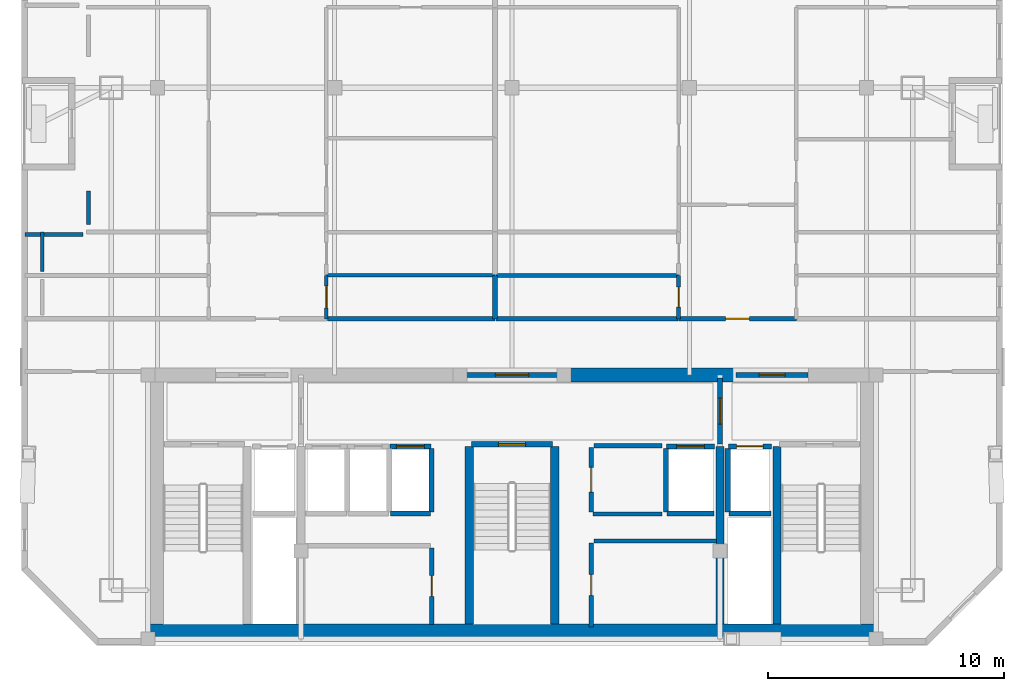
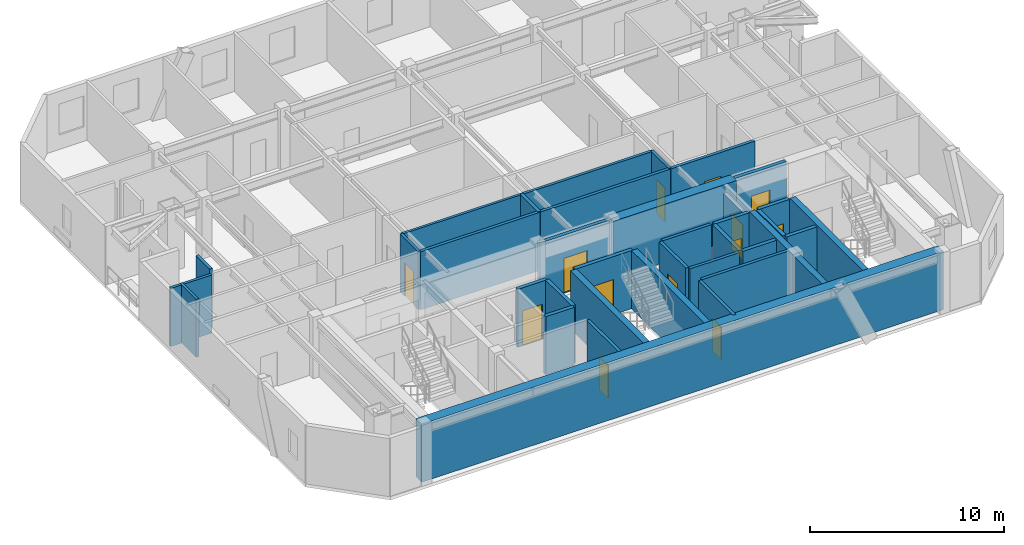
# One storey, part 3 of 7: 36 walls, 13 doors, 13 openings.
"""IFC4 building model written with IfcOpenShell, lengths in metres."""

from ifc_helpers import new_model, si_unit, direction, frame, frame_2d, origin, place, context, subcontext, project, spatial, rectangle, extrude, material, layer, layer_set, type_object, element, fill, save


model = new_model("IFC4")

# Units and contexts
model_context = context("Model", 3, precision=1e-05, world=origin(), true_north=direction((0.0, 1.0)))
body_context = subcontext(model_context, "Body", "Model", "MODEL_VIEW")
ifc_project = project(units=[si_unit("LENGTHUNIT", "METRE"), si_unit("AREAUNIT", "SQUARE_METRE"), si_unit("VOLUMEUNIT", "CUBIC_METRE"), si_unit("PLANEANGLEUNIT", "RADIAN"), si_unit("MASSUNIT", "GRAM", prefix="KILO")], contexts=[model_context])

# Site, building, storey
site_placement = place(None, origin())
site = spatial("IfcSite", under=ifc_project, at=site_placement, CompositionType="ELEMENT")
building_placement = place(site_placement, origin())
building = spatial("IfcBuilding", under=site, at=building_placement, Name="Ventersveld Concourse Tower", CompositionType="ELEMENT")
storey_placement = place(building_placement, frame((0.0, 0.0, 260.60009765625)))
storey = spatial("IfcBuildingStorey", under=building, at=storey_placement, Name="L64", CompositionType="ELEMENT", Elevation=260.60009765625)

# Walls
ifc_material_1 = material(Name="Concrete C50/60", Category="concrete")
ifc_layer_1 = layer(ifc_material_1, 0.35009765625)
ifc_layer_set_1 = layer_set([ifc_layer_1], Name="Concrete C50/60")
wall_type_1 = type_object("IfcWallType", Name="WL-CORE-350U", PredefinedType="SHEAR", material=ifc_layer_set_1)
for number, where, z_axis, x_axis, name in (
    (1, (26.93994140625, 0.919921875, 0.0), (0.0, 0.0, 1.0), (0.0, 1.0, 0.0), "L64 Core Internal Shear Web W-ST3-W"),
    (2, (30.56005859375, 0.919921875, 0.0), (0.0, 0.0, 1.0), (0.0, 1.0, 0.0), "L64 Core Internal Shear Web W-ST3-E"),
    (3, (37.550048828125, 0.919921875, 0.0), (0.0, 0.0, 1.0), (0.0, 1.0, 0.0), "L64 Core Internal Shear Web W-SVL-W"),
    (4, (39.9599609375, 0.919921875, 0.0), (0.0, 0.0, 1.0), (0.0, 1.0, 0.0), "L64 Core Internal Shear Web W-ST2-W"),
):
    element("IfcWall", number, at=place(storey_placement, frame(where, z_axis=z_axis, x_axis=x_axis)), inside=storey, type_object=wall_type_1, Name=name, PredefinedType="SHEAR", context=body_context, shape_type="SweptSolid", body=[
        extrude(rectangle(XDim=7.5, YDim=0.35009765625, at=frame_2d((3.75, 0.0))), origin(), (0.0, 0.0, 1.0), 3.64990234375),
    ])
ifc_layer_2 = layer(ifc_material_1, 0.60009765625)
ifc_layer_set_2 = layer_set([ifc_layer_2], Name="Concrete C50/60")
wall_type_2 = type_object("IfcWallType", Name="WL-CORE-600", PredefinedType="SHEAR", material=ifc_layer_set_2)
wall_1_placement = place(storey_placement, frame((13.25, 0.6201171875, 0.0), z_axis=(0.0, 0.0, 1.0), x_axis=(1.0, 0.0, 0.0)))
element("IfcWall", 5, at=wall_1_placement, inside=storey, type_object=wall_type_2, Name="L64 Rear Core South Shear Wall", PredefinedType="SHEAR", context=body_context, shape_type="SweptSolid", body=[
    extrude(rectangle(XDim=31.0, YDim=0.60009765625, at=frame_2d((15.5, 0.0))), origin(), (0.0, 0.0, 1.0), 3.64990234375),
])
wall_2_placement = place(storey_placement, frame((30.89990234375, 11.449951171875, 0.0), z_axis=(0.0, 0.0, 1.0), x_axis=(1.0, 0.0, 0.0)))
element("IfcWall", 6, at=wall_2_placement, inside=storey, type_object=wall_type_2, Name="L64 Rear Core North Shear Wall NMR", PredefinedType="SHEAR", context=body_context, shape_type="SweptSolid", body=[
    extrude(rectangle(XDim=7.300048828125, YDim=0.60009765625, at=frame_2d((3.64990234375, 0.0))), origin(), (0.0, 0.0, 1.0), 3.64990234375),
])

# Wall, opening, door
ifc_material_2 = material(Name="Fire-rated autoclaved aerated masonry blockwork", Category="masonry")
ifc_layer_3 = layer(ifc_material_2, 0.179931640625)
ifc_layer_set_3 = layer_set([ifc_layer_3], Name="Fire-rated autoclaved aerated masonry blockwork")
wall_type_3 = type_object("IfcWallType", Name="WL-CORR-180", PredefinedType="PARTITIONING", material=ifc_layer_set_3)
wall_3_placement = place(storey_placement, frame((25.35009765625, 0.89990234375, 0.0), z_axis=(0.0, 0.0, 1.0), x_axis=(0.0, 1.0, 0.0)))
wall_3 = element("IfcWall", 7, at=wall_3_placement, inside=storey, type_object=wall_type_3, Name="L64 Core Passage Wall SP-L64-RECB1A", PredefinedType="PARTITIONING", context=body_context, shape_type="SweptSolid", body=[
    extrude(rectangle(XDim=3.239990234375, YDim=0.179931640625, at=frame_2d((1.6201171875, 0.0))), origin(), (0.0, 0.0, 1.0), 3.64990234375),
])
opening_1_placement = place(wall_3_placement, frame((1.179931640625, 0.0, 0.0)))
opening_1 = element("IfcOpeningElement", 8, at=opening_1_placement, cuts=wall_3, Name="Opening FD5", PredefinedType="OPENING", context=body_context, shape_type="SweptSolid", body=[
    extrude(rectangle(XDim=0.8798828125, YDim=2.050048828125, at=frame_2d((0.43994140625, 1.02490234375))), frame((0.0, 0.10009765625, 0.0), z_axis=(0.0, -1.0, 0.0), x_axis=(1.0, 0.0, 0.0)), (0.0, 0.0, 1.0), 0.199951171875),
])
ifc_material_3 = material(Name="Galvanised painted steel", Category="steel")
door_type_1 = type_object("IfcDoorType", Name="DR-RISER-088", OperationType="NOTDEFINED", PredefinedType="DOOR", material=ifc_material_3)
door_1_placement = place(opening_1_placement, origin())
door_1 = element("IfcDoor", 9, at=door_1_placement, inside=storey, type_object=door_type_1, Name="L64 Core Room Door L64 Reclaimed Core Quiet Study Pod (CD-L64-3019)", OperationType="SINGLE_SWING_RIGHT", OverallHeight=2.050048828125, OverallWidth=0.8798828125, PredefinedType="DOOR", context=body_context, shape_type="SweptSolid", body=[
    extrude(rectangle(XDim=0.8798828125, YDim=2.050048828125, at=frame_2d((0.43994140625, 1.02490234375))), frame((0.0, 0.02490234375, 0.0), z_axis=(0.0, -1.0, 0.0), x_axis=(1.0, 0.0, 0.0)), (0.0, 0.0, 1.0), 0.050048828125),
])
fill(opening_1, door_1)

wall_4_placement = place(storey_placement, frame((32.10009765625, 0.780029296875, 0.0), z_axis=(0.0, 0.0, 1.0), x_axis=(0.0, 1.0, 0.0)))
wall_4 = element("IfcWall", 10, at=wall_4_placement, inside=storey, type_object=wall_type_3, Name="L64 Core Passage Wall SP-L64-RECB2A", PredefinedType="PARTITIONING", context=body_context, shape_type="SweptSolid", body=[
    extrude(rectangle(XDim=3.570068359375, YDim=0.179931640625, at=frame_2d((1.78515625, 0.0))), origin(), (0.0, 0.0, 1.0), 3.64990234375),
])
opening_2_placement = place(wall_4_placement, frame((1.344970703125, 0.0, 0.0)))
opening_2 = element("IfcOpeningElement", 11, at=opening_2_placement, cuts=wall_4, Name="Opening FD5", PredefinedType="OPENING", context=body_context, shape_type="SweptSolid", body=[
    extrude(rectangle(XDim=0.8798828125, YDim=2.050048828125, at=frame_2d((0.43994140625, 1.02490234375))), frame((0.0, 0.10009765625, 0.0), z_axis=(0.0, -1.0, 0.0), x_axis=(1.0, 0.0, 0.0)), (0.0, 0.0, 1.0), 0.199951171875),
])
door_2_placement = place(opening_2_placement, origin())
door_2 = element("IfcDoor", 12, at=door_2_placement, inside=storey, type_object=door_type_1, Name="L64 Core Room Door L64 Reclaimed Core Co-Working Study (CD-L64-3020)", OperationType="SINGLE_SWING_LEFT", OverallHeight=2.050048828125, OverallWidth=0.8798828125, PredefinedType="DOOR", context=body_context, shape_type="SweptSolid", body=[
    extrude(rectangle(XDim=0.8798828125, YDim=2.050048828125, at=frame_2d((0.43994140625, 1.02490234375))), frame((0.0, 0.02490234375, 0.0), z_axis=(0.0, -1.0, 0.0), x_axis=(1.0, 0.0, 0.0)), (0.0, 0.0, 1.0), 0.050048828125),
])
fill(opening_2, door_2)

# Wall
wall_5_placement = place(storey_placement, frame((32.219970703125, 4.429931640625, 0.0), z_axis=(0.0, 0.0, 1.0), x_axis=(1.0, 0.0, 0.0)))
element("IfcWall", 13, at=wall_5_placement, inside=storey, type_object=wall_type_3, Name="L64 Core Top Wall SP-L64-RECB2A", PredefinedType="PARTITIONING", context=body_context, shape_type="SweptSolid", body=[
    extrude(rectangle(XDim=5.179931640625, YDim=0.179931640625, at=frame_2d((2.58984375, 0.0))), origin(), (0.0, 0.0, 1.0), 3.64990234375),
])

# Wall, opening, door
wall_6_placement = place(storey_placement, frame((32.10009765625, 5.64990234375, 0.0), z_axis=(0.0, 0.0, 1.0), x_axis=(0.0, 1.0, 0.0)))
wall_6 = element("IfcWall", 14, at=wall_6_placement, inside=storey, type_object=wall_type_3, Name="L64 Core Passage Wall SP-L64-CBAY1", PredefinedType="PARTITIONING", context=body_context, shape_type="SweptSolid", body=[
    extrude(rectangle(XDim=2.72998046875, YDim=0.179931640625, at=frame_2d((1.364990234375, 0.0))), origin(), (0.0, 0.0, 1.0), 3.64990234375),
])
opening_3_placement = place(wall_6_placement, frame((0.840087890625, 0.0, 0.0)))
opening_3 = element("IfcOpeningElement", 15, at=opening_3_placement, cuts=wall_6, Name="Opening ID3", PredefinedType="OPENING", context=body_context, shape_type="SweptSolid", body=[
    extrude(rectangle(XDim=1.050048828125, YDim=2.14990234375, at=frame_2d((0.52490234375, 1.074951171875))), frame((0.0, 0.10009765625, 0.0), z_axis=(0.0, -1.0, 0.0), x_axis=(1.0, 0.0, 0.0)), (0.0, 0.0, 1.0), 0.199951171875),
])
ifc_material_4 = material(Name="Solid-core hardwood veneer timber", Category="wood")
door_type_2 = type_object("IfcDoorType", Name="DR-AWC-105", OperationType="NOTDEFINED", PredefinedType="DOOR", material=ifc_material_4)
door_3_placement = place(opening_3_placement, origin())
door_3 = element("IfcDoor", 16, at=door_3_placement, inside=storey, type_object=door_type_2, Name="L64 Core Room Door L64 Core Unisex Accessible WC (CD-L64-3021)", OperationType="SINGLE_SWING_RIGHT", OverallHeight=2.14990234375, OverallWidth=1.050048828125, PredefinedType="DOOR", context=body_context, shape_type="SweptSolid", body=[
    extrude(rectangle(XDim=1.050048828125, YDim=2.14990234375, at=frame_2d((0.52490234375, 1.074951171875))), frame((0.0, 0.02490234375, 0.0), z_axis=(0.0, -1.0, 0.0), x_axis=(1.0, 0.0, 0.0)), (0.0, 0.0, 1.0), 0.050048828125),
])
fill(opening_3, door_3)

# Walls
wall_7_placement = place(storey_placement, frame((32.219970703125, 8.4599609375, 0.0), z_axis=(0.0, 0.0, 1.0), x_axis=(1.0, 0.0, 0.0)))
element("IfcWall", 17, at=wall_7_placement, inside=storey, type_object=wall_type_3, Name="L64 Core Top Wall SP-L64-CBAY1", PredefinedType="PARTITIONING", context=body_context, shape_type="SweptSolid", body=[
    extrude(rectangle(XDim=2.880126953125, YDim=0.179931640625, at=frame_2d((1.43994140625, 0.0))), origin(), (0.0, 0.0, 1.0), 3.64990234375),
])
wall_8_placement = place(storey_placement, frame((32.179931640625, 5.570068359375, 0.0), z_axis=(0.0, 0.0, 1.0), x_axis=(1.0, 0.0, 0.0)))
element("IfcWall", 18, at=wall_8_placement, inside=storey, type_object=wall_type_3, Name="L64 Core Bot Wall SP-L64-CBAY1", PredefinedType="PARTITIONING", context=body_context, shape_type="SweptSolid", body=[
    extrude(rectangle(XDim=2.920166015625, YDim=0.179931640625, at=frame_2d((1.4599609375, 0.0))), origin(), (0.0, 0.0, 1.0), 3.64990234375),
])
wall_9_placement = place(storey_placement, frame((20.93505859375, 13.830078125, 0.0), z_axis=(0.0, 0.0, 1.0), x_axis=(1.0, 0.0, 0.0)))
element("IfcWall", 19, at=wall_9_placement, inside=storey, type_object=wall_type_3, Name="L64 Interior Partition SP-L64-COR-SP-L64-64N1-KIT", PredefinedType="PARTITIONING", context=body_context, shape_type="SweptSolid", body=[
    extrude(rectangle(XDim=7.1025390625, YDim=0.179931640625, at=frame_2d((3.55126953125, 0.0))), origin(), (0.0, 0.0, 1.0), 3.64990234375),
])

# Wall, opening, door
wall_10_placement = place(storey_placement, frame((35.7919921875, 13.830078125, 0.0), z_axis=(0.0, 0.0, 1.0), x_axis=(1.0, 0.0, 0.0)))
wall_10 = element("IfcWall", 20, at=wall_10_placement, inside=storey, type_object=wall_type_3, Name="L64 Interior Partition SP-L64-COR-SP-L64-64N2-FOY", PredefinedType="PARTITIONING", context=body_context, shape_type="SweptSolid", body=[
    extrude(rectangle(XDim=4.989990234375, YDim=0.179931640625, at=frame_2d((2.4951171875, 0.0))), origin(), (0.0, 0.0, 1.0), 3.64990234375),
])
opening_4_placement = place(wall_10_placement, frame((1.9951171875, 0.0, 0.0)))
opening_4 = element("IfcOpeningElement", 21, at=opening_4_placement, cuts=wall_10, Name="Opening FD3", PredefinedType="OPENING", context=body_context, shape_type="SweptSolid", body=[
    extrude(rectangle(XDim=1.0, YDim=2.14990234375, at=frame_2d((0.5, 1.074951171875))), frame((0.0, 0.10009765625, 0.0), z_axis=(0.0, -1.0, 0.0), x_axis=(1.0, 0.0, 0.0)), (0.0, 0.0, 1.0), 0.199951171875),
])
door_type_3 = type_object("IfcDoorType", Name="DR-FLAT-100", OperationType="NOTDEFINED", PredefinedType="DOOR", material=ifc_material_4)
door_4_placement = place(opening_4_placement, origin())
door_4 = element("IfcDoor", 22, at=door_4_placement, inside=storey, type_object=door_type_3, Name="L64 Interior Door SP-L64-COR to SP-L64-64N2-FOY (FD-L64-3025)", OperationType="SINGLE_SWING_LEFT", OverallHeight=2.14990234375, OverallWidth=1.0, PredefinedType="DOOR", context=body_context, shape_type="SweptSolid", body=[
    extrude(rectangle(XDim=1.0, YDim=2.14990234375, at=frame_2d((0.5, 1.074951171875))), frame((0.0, 0.02490234375, 0.0), z_axis=(0.0, -1.0, 0.0), x_axis=(1.0, 0.0, 0.0)), (0.0, 0.0, 1.0), 0.050048828125),
])
fill(opening_4, door_4)

# Walls
wall_11_placement = place(storey_placement, frame((28.0673828125, 13.830078125, 0.0), z_axis=(0.0, 0.0, 1.0), x_axis=(1.0, 0.0, 0.0)))
element("IfcWall", 23, at=wall_11_placement, inside=storey, type_object=wall_type_3, Name="L64 Interior Partition SP-L64-COR-SP-L64-64N2-BATH", PredefinedType="PARTITIONING", context=body_context, shape_type="SweptSolid", body=[
    extrude(rectangle(XDim=7.69482421875, YDim=0.179931640625, at=frame_2d((3.847412109375, 0.0))), origin(), (0.0, 0.0, 1.0), 3.64990234375),
])
wall_12_placement = place(storey_placement, frame((10.837646484375, 17.81494140625, 0.0), z_axis=(0.0, 0.0, 1.0), x_axis=(0.0, 1.0, 0.0)))
element("IfcWall", 24, at=wall_12_placement, inside=storey, type_object=wall_type_3, Name="L64 Room Enclosure Wall SP-L64-64N1-OFFL0", PredefinedType="PARTITIONING", context=body_context, shape_type="SweptSolid", body=[
    extrude(rectangle(XDim=1.423583984375, YDim=0.179931640625, at=frame_2d((0.7119140625, 0.0))), origin(), (0.0, 0.0, 1.0), 3.64990234375),
])
ifc_layer_4 = layer(ifc_material_2, 0.199951171875)
ifc_layer_set_4 = layer_set([ifc_layer_4], Name="Fire-rated autoclaved aerated masonry blockwork")
wall_type_4 = type_object("IfcWallType", Name="WL-DEMISE-200", PredefinedType="PARTITIONING", material=ifc_layer_set_4)
wall_13_placement = place(storey_placement, frame((28.032470703125, 13.824951171875, 0.0), z_axis=(0.0, 0.0, 1.0), x_axis=(0.0, 1.0, 0.0)))
element("IfcWall", 25, at=wall_13_placement, inside=storey, type_object=wall_type_4, Name="L64 Interior Partition SP-L64-64N1-KIT-SP-L64-64N2-BATH", PredefinedType="PARTITIONING", context=body_context, shape_type="SweptSolid", body=[
    extrude(rectangle(XDim=1.840087890625, YDim=0.199951171875, at=frame_2d((0.919921875, 0.0))), origin(), (0.0, 0.0, 1.0), 3.64990234375),
])
ifc_layer_5 = layer(ifc_material_2, 0.219970703125)
ifc_layer_set_5 = layer_set([ifc_layer_5], Name="Fire-rated autoclaved aerated masonry blockwork")
wall_type_5 = type_object("IfcWallType", Name="WL-HOIST-220", PredefinedType="SOLIDWALL", material=ifc_layer_set_5)
wall_14_placement = place(storey_placement, frame((37.919921875, 5.590087890625, 0.0), z_axis=(0.0, 0.0, 1.0), x_axis=(1.0, 0.0, 0.0)))
element("IfcWall", 26, at=wall_14_placement, inside=storey, type_object=wall_type_5, Name="L64 Lift Hoistway Back Wall FFL-02", PredefinedType="SOLIDWALL", context=body_context, shape_type="SweptSolid", body=[
    extrude(rectangle(XDim=1.780029296875, YDim=0.219970703125, at=frame_2d((0.89013671875, 0.0))), origin(), (0.0, 0.0, 1.0), 3.64990234375),
])
wall_15_placement = place(storey_placement, frame((37.8798828125, 5.64990234375, 0.0), z_axis=(0.0, 0.0, 1.0), x_axis=(0.0, 1.0, 0.0)))
element("IfcWall", 27, at=wall_15_placement, inside=storey, type_object=wall_type_5, Name="L64 Lift Hoistway Side Wall FFL-02W", PredefinedType="SOLIDWALL", context=body_context, shape_type="SweptSolid", body=[
    extrude(rectangle(XDim=2.7001953125, YDim=0.219970703125, at=frame_2d((1.35009765625, 0.0))), origin(), (0.0, 0.0, 1.0), 3.64990234375),
])

# Wall, opening, door
wall_16_placement = place(storey_placement, frame((37.89990234375, 8.429931640625, 0.0), z_axis=(0.0, 0.0, 1.0), x_axis=(1.0, 0.0, 0.0)))
wall_16 = element("IfcWall", 28, at=wall_16_placement, inside=storey, type_object=wall_type_5, Name="L64 Lift Hoistway Front Wall FFL-02", PredefinedType="SOLIDWALL", context=body_context, shape_type="SweptSolid", body=[
    extrude(rectangle(XDim=1.820068359375, YDim=0.219970703125, at=frame_2d((0.91015625, 0.0))), origin(), (0.0, 0.0, 1.0), 3.64990234375),
])
opening_5_placement = place(wall_16_placement, frame((0.35009765625, 0.0, 0.0)))
opening_5 = element("IfcOpeningElement", 29, at=opening_5_placement, cuts=wall_16, Name="Opening LD1", PredefinedType="OPENING", context=body_context, shape_type="SweptSolid", body=[
    extrude(rectangle(XDim=1.1201171875, YDim=2.25, at=frame_2d((0.56005859375, 1.125))), frame((0.0, 0.1201171875, 0.0), z_axis=(0.0, -1.0, 0.0), x_axis=(1.0, 0.0, 0.0)), (0.0, 0.0, 1.0), 0.239990234375),
])
ifc_material_5 = material(Name="Brushed stainless steel 316", Category="steel")
door_type_4 = type_object("IfcDoorType", Name="LD-FF-112", OperationType="SLIDING_TO_LEFT", PredefinedType="DOOR", material=ifc_material_5)
door_5_placement = place(opening_5_placement, origin())
door_5 = element("IfcDoor", 30, at=door_5_placement, inside=storey, type_object=door_type_4, Name="L64 Lift landing door FFL-02 (LD-L64-FFL-02)", OperationType="SLIDING_TO_LEFT", OverallHeight=2.25, OverallWidth=1.1201171875, PredefinedType="DOOR", context=body_context, shape_type="SweptSolid", body=[
    extrude(rectangle(XDim=1.1201171875, YDim=2.25, at=frame_2d((0.56005859375, 1.125))), frame((0.0, 0.02490234375, 0.0), z_axis=(0.0, -1.0, 0.0), x_axis=(1.0, 0.0, 0.0)), (0.0, 0.0, 1.0), 0.050048828125),
])
fill(opening_5, door_5)

# Walls
wall_17_placement = place(storey_placement, frame((35.300048828125, 5.590087890625, 0.0), z_axis=(0.0, 0.0, 1.0), x_axis=(1.0, 0.0, 0.0)))
element("IfcWall", 31, at=wall_17_placement, inside=storey, type_object=wall_type_5, Name="L64 Lift Hoistway Back Wall SVL-01", PredefinedType="SOLIDWALL", context=body_context, shape_type="SweptSolid", body=[
    extrude(rectangle(XDim=2.0, YDim=0.219970703125, at=frame_2d((1.0, 0.0))), origin(), (0.0, 0.0, 1.0), 3.64990234375),
])
wall_18_placement = place(storey_placement, frame((35.260009765625, 5.64990234375, 0.0), z_axis=(0.0, 0.0, 1.0), x_axis=(0.0, 1.0, 0.0)))
element("IfcWall", 32, at=wall_18_placement, inside=storey, type_object=wall_type_5, Name="L64 Lift Hoistway Side Wall SVL-01W", PredefinedType="SOLIDWALL", context=body_context, shape_type="SweptSolid", body=[
    extrude(rectangle(XDim=2.7001953125, YDim=0.219970703125, at=frame_2d((1.35009765625, 0.0))), origin(), (0.0, 0.0, 1.0), 3.64990234375),
])

# Wall, opening, door
wall_19_placement = place(storey_placement, frame((35.280029296875, 8.429931640625, 0.0), z_axis=(0.0, 0.0, 1.0), x_axis=(1.0, 0.0, 0.0)))
wall_19 = element("IfcWall", 33, at=wall_19_placement, inside=storey, type_object=wall_type_5, Name="L64 Lift Hoistway Front Wall SVL-01", PredefinedType="SOLIDWALL", context=body_context, shape_type="SweptSolid", body=[
    extrude(rectangle(XDim=2.0400390625, YDim=0.219970703125, at=frame_2d((1.02001953125, 0.0))), origin(), (0.0, 0.0, 1.0), 3.64990234375),
])
opening_6_placement = place(wall_19_placement, frame((0.429931640625, 0.0, 0.0)))
opening_6 = element("IfcOpeningElement", 34, at=opening_6_placement, cuts=wall_19, Name="Opening LD2", PredefinedType="OPENING", context=body_context, shape_type="SweptSolid", body=[
    extrude(rectangle(XDim=1.179931640625, YDim=2.199951171875, at=frame_2d((0.58984375, 1.10009765625))), frame((0.0, 0.1201171875, 0.0), z_axis=(0.0, -1.0, 0.0), x_axis=(1.0, 0.0, 0.0)), (0.0, 0.0, 1.0), 0.239990234375),
])
door_type_5 = type_object("IfcDoorType", Name="LD-PAX-118", OperationType="SLIDING_TO_LEFT", PredefinedType="DOOR", material=ifc_material_5)
door_6_placement = place(opening_6_placement, origin())
door_6 = element("IfcDoor", 35, at=door_6_placement, inside=storey, type_object=door_type_5, Name="L64 Lift landing door SVL-01 (LD-L64-SVL-01)", OperationType="SLIDING_TO_RIGHT", OverallHeight=2.199951171875, OverallWidth=1.179931640625, PredefinedType="DOOR", context=body_context, shape_type="SweptSolid", body=[
    extrude(rectangle(XDim=1.179931640625, YDim=2.199951171875, at=frame_2d((0.58984375, 1.10009765625))), frame((0.0, 0.02490234375, 0.0), z_axis=(0.0, -1.0, 0.0), x_axis=(1.0, 0.0, 0.0)), (0.0, 0.0, 1.0), 0.050048828125),
])
fill(opening_6, door_6)

# Walls
wall_20_placement = place(storey_placement, frame((23.60009765625, 5.590087890625, 0.0), z_axis=(0.0, 0.0, 1.0), x_axis=(1.0, 0.0, 0.0)))
element("IfcWall", 36, at=wall_20_placement, inside=storey, type_object=wall_type_5, Name="L64 Lift Hoistway Back Wall PH-03", PredefinedType="SOLIDWALL", context=body_context, shape_type="SweptSolid", body=[
    extrude(rectangle(XDim=1.699951171875, YDim=0.219970703125, at=frame_2d((0.85009765625, 0.0))), origin(), (0.0, 0.0, 1.0), 3.64990234375),
])
wall_21_placement = place(storey_placement, frame((25.340087890625, 5.64990234375, 0.0), z_axis=(0.0, 0.0, 1.0), x_axis=(0.0, 1.0, 0.0)))
element("IfcWall", 37, at=wall_21_placement, inside=storey, type_object=wall_type_5, Name="L64 Lift Hoistway Side Wall PH-03E", PredefinedType="SOLIDWALL", context=body_context, shape_type="SweptSolid", body=[
    extrude(rectangle(XDim=2.7001953125, YDim=0.219970703125, at=frame_2d((1.35009765625, 0.0))), origin(), (0.0, 0.0, 1.0), 3.64990234375),
])

# Wall, opening, door
wall_22_placement = place(storey_placement, frame((23.580078125, 8.429931640625, 0.0), z_axis=(0.0, 0.0, 1.0), x_axis=(1.0, 0.0, 0.0)))
wall_22 = element("IfcWall", 38, at=wall_22_placement, inside=storey, type_object=wall_type_5, Name="L64 Lift Hoistway Front Wall PH-03", PredefinedType="SOLIDWALL", context=body_context, shape_type="SweptSolid", body=[
    extrude(rectangle(XDim=1.739990234375, YDim=0.219970703125, at=frame_2d((0.8701171875, 0.0))), origin(), (0.0, 0.0, 1.0), 3.64990234375),
])
opening_7_placement = place(wall_22_placement, frame((0.280029296875, 0.0, 0.0)))
opening_7 = element("IfcOpeningElement", 39, at=opening_7_placement, cuts=wall_22, Name="Opening LD2", PredefinedType="OPENING", context=body_context, shape_type="SweptSolid", body=[
    extrude(rectangle(XDim=1.179931640625, YDim=2.199951171875, at=frame_2d((0.58984375, 1.10009765625))), frame((0.0, 0.1201171875, 0.0), z_axis=(0.0, -1.0, 0.0), x_axis=(1.0, 0.0, 0.0)), (0.0, 0.0, 1.0), 0.239990234375),
])
door_7_placement = place(opening_7_placement, origin())
door_7 = element("IfcDoor", 40, at=door_7_placement, inside=storey, type_object=door_type_5, Name="L64 Lift landing door PH-03 (LD-L64-PH-03)", OperationType="SLIDING_TO_LEFT", OverallHeight=2.199951171875, OverallWidth=1.179931640625, PredefinedType="DOOR", context=body_context, shape_type="SweptSolid", body=[
    extrude(rectangle(XDim=1.179931640625, YDim=2.199951171875, at=frame_2d((0.58984375, 1.10009765625))), frame((0.0, 0.02490234375, 0.0), z_axis=(0.0, -1.0, 0.0), x_axis=(1.0, 0.0, 0.0)), (0.0, 0.0, 1.0), 0.050048828125),
])
fill(opening_7, door_7)

wall_23_placement = place(storey_placement, frame((27.0400390625, 8.52001953125, 0.0), z_axis=(0.0, 0.0, 1.0), x_axis=(1.0, 0.0, 0.0)))
wall_23 = element("IfcWall", 41, at=wall_23_placement, inside=storey, type_object=wall_type_5, Name="L64 Escape Stair ST03 Fire Wall", PredefinedType="SOLIDWALL", context=body_context, shape_type="SweptSolid", body=[
    extrude(rectangle(XDim=3.419921875, YDim=0.219970703125, at=frame_2d((1.7099609375, 0.0))), origin(), (0.0, 0.0, 1.0), 3.64990234375),
])
opening_8_placement = place(wall_23_placement, frame((1.135009765625, 0.0, 0.0)))
opening_8 = element("IfcOpeningElement", 42, at=opening_8_placement, cuts=wall_23, Name="Opening FD1", PredefinedType="OPENING", context=body_context, shape_type="SweptSolid", body=[
    extrude(rectangle(XDim=1.14990234375, YDim=2.199951171875, at=frame_2d((0.574951171875, 1.10009765625))), frame((0.0, 0.1201171875, 0.0), z_axis=(0.0, -1.0, 0.0), x_axis=(1.0, 0.0, 0.0)), (0.0, 0.0, 1.0), 0.239990234375),
])
door_type_6 = type_object("IfcDoorType", Name="DR-STAIR-115", OperationType="NOTDEFINED", PredefinedType="DOOR", material=ifc_material_3)
door_8_placement = place(opening_8_placement, origin())
door_8 = element("IfcDoor", 43, at=door_8_placement, inside=storey, type_object=door_type_6, Name="L64 Escape Stair Door ST03 (SD-L64-3013)", OperationType="SINGLE_SWING_LEFT", OverallHeight=2.199951171875, OverallWidth=1.14990234375, PredefinedType="DOOR", context=body_context, shape_type="SweptSolid", body=[
    extrude(rectangle(XDim=1.14990234375, YDim=2.199951171875, at=frame_2d((0.574951171875, 1.10009765625))), frame((0.0, 0.02490234375, 0.0), z_axis=(0.0, -1.0, 0.0), x_axis=(1.0, 0.0, 0.0)), (0.0, 0.0, 1.0), 0.050048828125),
])
fill(opening_8, door_8)

wall_24_placement = place(storey_placement, frame((37.550048828125, 8.52001953125, 0.0), z_axis=(0.0, 0.0, 1.0), x_axis=(0.0, 1.0, 0.0)))
wall_24 = element("IfcWall", 44, at=wall_24_placement, inside=storey, type_object=wall_type_5, Name="L64 Firefighting Lobby Smoke-Stop Wall FFLE-SEP", PredefinedType="SOLIDWALL", context=body_context, shape_type="SweptSolid", body=[
    extrude(rectangle(XDim=2.800048828125, YDim=0.219970703125, at=frame_2d((1.39990234375, 0.0))), origin(), (0.0, 0.0, 1.0), 3.10546875),
])
opening_9_placement = place(wall_24_placement, frame((0.85009765625, 0.0, 0.0)))
opening_9 = element("IfcOpeningElement", 45, at=opening_9_placement, cuts=wall_24, Name="Opening FD2", PredefinedType="OPENING", context=body_context, shape_type="SweptSolid", body=[
    extrude(rectangle(XDim=1.10009765625, YDim=2.199951171875, at=frame_2d((0.550048828125, 1.10009765625))), frame((0.0, 0.1201171875, 0.0), z_axis=(0.0, -1.0, 0.0), x_axis=(1.0, 0.0, 0.0)), (0.0, 0.0, 1.0), 0.239990234375),
])
door_type_7 = type_object("IfcDoorType", Name="DR-FFL-110", OperationType="NOTDEFINED", PredefinedType="DOOR", material=ifc_material_3)
door_9_placement = place(opening_9_placement, origin())
door_9 = element("IfcDoor", 46, at=door_9_placement, inside=storey, type_object=door_type_7, Name="L64 Firefighting Lobby Door FFLE-SEP (FD-L64-3015)", OperationType="SINGLE_SWING_RIGHT", OverallHeight=2.199951171875, OverallWidth=1.10009765625, PredefinedType="DOOR", context=body_context, shape_type="SweptSolid", body=[
    extrude(rectangle(XDim=1.10009765625, YDim=2.199951171875, at=frame_2d((0.550048828125, 1.10009765625))), frame((0.0, 0.02490234375, 0.0), z_axis=(0.0, -1.0, 0.0), x_axis=(1.0, 0.0, 0.0)), (0.0, 0.0, 1.0), 0.050048828125),
])
fill(opening_9, door_9)

wall_25_placement = place(storey_placement, frame((26.6298828125, 11.449951171875, 0.0), z_axis=(0.0, 0.0, 1.0), x_axis=(1.0, 0.0, 0.0)))
wall_25 = element("IfcWall", 47, at=wall_25_placement, inside=storey, type_object=wall_type_5, Name="L64 Core North Fire Portal PLOB-OUT", PredefinedType="SOLIDWALL", context=body_context, shape_type="SweptSolid", body=[
    extrude(rectangle(XDim=4.240234375, YDim=0.219970703125, at=frame_2d((2.1201171875, 0.0))), origin(), (0.0, 0.0, 1.0), 3.64990234375),
])
opening_10_placement = place(wall_25_placement, frame((1.419921875, 0.0, 0.0)))
opening_10 = element("IfcOpeningElement", 48, at=opening_10_placement, cuts=wall_25, Name="Opening FD4", PredefinedType="OPENING", context=body_context, shape_type="SweptSolid", body=[
    extrude(rectangle(XDim=1.39990234375, YDim=2.199951171875, at=frame_2d((0.699951171875, 1.10009765625))), frame((0.0, 0.1201171875, 0.0), z_axis=(0.0, -1.0, 0.0), x_axis=(1.0, 0.0, 0.0)), (0.0, 0.0, 1.0), 0.239990234375),
])
door_type_8 = type_object("IfcDoorType", Name="DR-PLANT-140", OperationType="DOUBLE_DOOR_SINGLE_SWING", PredefinedType="DOOR", material=ifc_material_3)
door_10_placement = place(opening_10_placement, origin())
door_10 = element("IfcDoor", 49, at=door_10_placement, inside=storey, type_object=door_type_8, Name="L64 Core Lobby Fire Door PLOB-OUT (FD-L64-3017)", OperationType="DOUBLE_DOOR_SINGLE_SWING", OverallHeight=2.199951171875, OverallWidth=1.39990234375, PredefinedType="DOOR", context=body_context, shape_type="SweptSolid", body=[
    extrude(rectangle(XDim=1.39990234375, YDim=2.199951171875, at=frame_2d((0.699951171875, 1.10009765625))), frame((0.0, 0.02490234375, 0.0), z_axis=(0.0, -1.0, 0.0), x_axis=(1.0, 0.0, 0.0)), (0.0, 0.0, 1.0), 0.050048828125),
])
fill(opening_10, door_10)

wall_26_placement = place(storey_placement, frame((38.22998046875, 11.449951171875, 0.0), z_axis=(0.0, 0.0, 1.0), x_axis=(1.0, 0.0, 0.0)))
wall_26 = element("IfcWall", 50, at=wall_26_placement, inside=storey, type_object=wall_type_5, Name="L64 Core North Fire Portal FFLE-OUT", PredefinedType="SOLIDWALL", context=body_context, shape_type="SweptSolid", body=[
    extrude(rectangle(XDim=3.0400390625, YDim=0.219970703125, at=frame_2d((1.52001953125, 0.0))), origin(), (0.0, 0.0, 1.0), 3.64990234375),
])
opening_11_placement = place(wall_26_placement, frame((0.969970703125, 0.0, 0.0)))
opening_11 = element("IfcOpeningElement", 51, at=opening_11_placement, cuts=wall_26, Name="Opening FD2", PredefinedType="OPENING", context=body_context, shape_type="SweptSolid", body=[
    extrude(rectangle(XDim=1.10009765625, YDim=2.199951171875, at=frame_2d((0.550048828125, 1.10009765625))), frame((0.0, 0.1201171875, 0.0), z_axis=(0.0, -1.0, 0.0), x_axis=(1.0, 0.0, 0.0)), (0.0, 0.0, 1.0), 0.239990234375),
])
door_11_placement = place(opening_11_placement, origin())
door_11 = element("IfcDoor", 52, at=door_11_placement, inside=storey, type_object=door_type_7, Name="L64 Core Lobby Fire Door FFLE-OUT (FD-L64-3018)", OperationType="SINGLE_SWING_LEFT", OverallHeight=2.199951171875, OverallWidth=1.10009765625, PredefinedType="DOOR", context=body_context, shape_type="SweptSolid", body=[
    extrude(rectangle(XDim=1.10009765625, YDim=2.199951171875, at=frame_2d((0.550048828125, 1.10009765625))), frame((0.0, 0.02490234375, 0.0), z_axis=(0.0, -1.0, 0.0), x_axis=(1.0, 0.0, 0.0)), (0.0, 0.0, 1.0), 0.050048828125),
])
fill(opening_11, door_11)

ifc_material_6 = material(Name="Autoclaved aerated masonry blockwork", Category="masonry")
ifc_layer_6 = layer(ifc_material_6, 0.14990234375)
ifc_layer_set_6 = layer_set([ifc_layer_6], Name="Autoclaved aerated masonry blockwork")
wall_type_6 = type_object("IfcWallType", Name="WL-INT-150", PredefinedType="PARTITIONING", material=ifc_layer_set_6)
wall_27_placement = place(storey_placement, frame((20.900146484375, 13.824951171875, 0.0), z_axis=(0.0, 0.0, 1.0), x_axis=(0.0, 1.0, 0.0)))
wall_27 = element("IfcWall", 53, at=wall_27_placement, inside=storey, type_object=wall_type_6, Name="L64 Interior Partition SP-L64-64N1-FOY-SP-L64-64N1-KIT", PredefinedType="PARTITIONING", context=body_context, shape_type="SweptSolid", body=[
    extrude(rectangle(XDim=1.840087890625, YDim=0.14990234375, at=frame_2d((0.919921875, 0.0))), origin(), (0.0, 0.0, 1.0), 3.64990234375),
])
opening_12_placement = place(wall_27_placement, frame((0.4599609375, 0.0, 0.0)))
opening_12 = element("IfcOpeningElement", 54, at=opening_12_placement, cuts=wall_27, Name="Opening ID1", PredefinedType="OPENING", context=body_context, shape_type="SweptSolid", body=[
    extrude(rectangle(XDim=0.919921875, YDim=2.10009765625, at=frame_2d((0.4599609375, 1.050048828125))), frame((0.0, 0.0849609375, 0.0), z_axis=(0.0, -1.0, 0.0), x_axis=(1.0, 0.0, 0.0)), (0.0, 0.0, 1.0), 0.169921875),
])
door_type_9 = type_object("IfcDoorType", Name="DR-ROOM-092", OperationType="NOTDEFINED", PredefinedType="DOOR", material=ifc_material_4)
door_12_placement = place(opening_12_placement, origin())
door_12 = element("IfcDoor", 55, at=door_12_placement, inside=storey, type_object=door_type_9, Name="L64 Interior Door SP-L64-64N1-FOY to SP-L64-64N1-KIT (D-L64-3029)", OperationType="SINGLE_SWING_LEFT", OverallHeight=2.10009765625, OverallWidth=0.919921875, PredefinedType="DOOR", context=body_context, shape_type="SweptSolid", body=[
    extrude(rectangle(XDim=0.919921875, YDim=2.10009765625, at=frame_2d((0.4599609375, 1.050048828125))), frame((0.0, 0.02490234375, 0.0), z_axis=(0.0, -1.0, 0.0), x_axis=(1.0, 0.0, 0.0)), (0.0, 0.0, 1.0), 0.050048828125),
])
fill(opening_12, door_12)

# Wall
wall_28_placement = place(storey_placement, frame((20.89501953125, 15.659912109375, 0.0), z_axis=(0.0, 0.0, 1.0), x_axis=(1.0, 0.0, 0.0)))
element("IfcWall", 56, at=wall_28_placement, inside=storey, type_object=wall_type_6, Name="L64 Interior Partition SP-L64-64N1-KIT-SP-L64-64N1-PANR1", PredefinedType="PARTITIONING", context=body_context, shape_type="SweptSolid", body=[
    extrude(rectangle(XDim=7.142578125, YDim=0.14990234375, at=frame_2d((3.5712890625, 0.0))), origin(), (0.0, 0.0, 1.0), 3.64990234375),
])

# Wall, opening, door
ifc_layer_7 = layer(ifc_material_6, 0.1650390625)
ifc_layer_set_7 = layer_set([ifc_layer_7], Name="Autoclaved aerated masonry blockwork")
wall_type_7 = type_object("IfcWallType", Name="WL-WET-165", PredefinedType="PLUMBINGWALL", material=ifc_layer_set_7)
wall_29_placement = place(storey_placement, frame((35.797119140625, 13.824951171875, 0.0), z_axis=(0.0, 0.0, 1.0), x_axis=(0.0, 1.0, 0.0)))
wall_29 = element("IfcWall", 57, at=wall_29_placement, inside=storey, type_object=wall_type_7, Name="L64 Interior Partition SP-L64-64N2-FOY-SP-L64-64N2-BATH", PredefinedType="PLUMBINGWALL", context=body_context, shape_type="SweptSolid", body=[
    extrude(rectangle(XDim=1.840087890625, YDim=0.1650390625, at=frame_2d((0.919921875, 0.0))), origin(), (0.0, 0.0, 1.0), 3.64990234375),
])
opening_13_placement = place(wall_29_placement, frame((0.4951171875, 0.0, 0.0)))
opening_13 = element("IfcOpeningElement", 58, at=opening_13_placement, cuts=wall_29, Name="Opening ID2", PredefinedType="OPENING", context=body_context, shape_type="SweptSolid", body=[
    extrude(rectangle(XDim=0.85009765625, YDim=2.10009765625, at=frame_2d((0.425048828125, 1.050048828125))), frame((0.0, 0.092529296875, 0.0), z_axis=(0.0, -1.0, 0.0), x_axis=(1.0, 0.0, 0.0)), (0.0, 0.0, 1.0), 0.18505859375),
])
door_type_10 = type_object("IfcDoorType", Name="DR-BATH-085", OperationType="NOTDEFINED", PredefinedType="DOOR", material=ifc_material_4)
door_13_placement = place(opening_13_placement, origin())
door_13 = element("IfcDoor", 59, at=door_13_placement, inside=storey, type_object=door_type_10, Name="L64 Interior Door SP-L64-64N2-FOY to SP-L64-64N2-BATH (D-L64-3039)", OperationType="SINGLE_SWING_LEFT", OverallHeight=2.10009765625, OverallWidth=0.85009765625, PredefinedType="DOOR", context=body_context, shape_type="SweptSolid", body=[
    extrude(rectangle(XDim=0.85009765625, YDim=2.10009765625, at=frame_2d((0.425048828125, 1.050048828125))), frame((0.0, 0.02490234375, 0.0), z_axis=(0.0, -1.0, 0.0), x_axis=(1.0, 0.0, 0.0)), (0.0, 0.0, 1.0), 0.050048828125),
])
fill(opening_13, door_13)

# Walls
wall_30_placement = place(storey_placement, frame((28.0673828125, 15.659912109375, 0.0), z_axis=(0.0, 0.0, 1.0), x_axis=(1.0, 0.0, 0.0)))
element("IfcWall", 60, at=wall_30_placement, inside=storey, type_object=wall_type_7, Name="L64 Interior Partition SP-L64-64N2-BATH-SP-L64-64N2-PWDL2", PredefinedType="PLUMBINGWALL", context=body_context, shape_type="SweptSolid", body=[
    extrude(rectangle(XDim=7.734619140625, YDim=0.1650390625, at=frame_2d((3.8671875, 0.0))), origin(), (0.0, 0.0, 1.0), 3.64990234375),
])
wall_31_placement = place(storey_placement, frame((8.147216796875, 17.39990234375, 0.0), z_axis=(0.0, 0.0, 1.0), x_axis=(1.0, 0.0, 0.0)))
element("IfcWall", 61, at=wall_31_placement, inside=storey, type_object=wall_type_7, Name="L64 Room Enclosure Wall SP-L64-64N1-PWDL2", PredefinedType="PLUMBINGWALL", context=body_context, shape_type="SweptSolid", body=[
    extrude(rectangle(XDim=2.44677734375, YDim=0.1650390625, at=frame_2d((1.223388671875, 0.0))), origin(), (0.0, 0.0, 1.0), 3.64990234375),
])
wall_32_placement = place(storey_placement, frame((8.877685546875, 15.824951171875, 0.0), z_axis=(0.0, 0.0, 1.0), x_axis=(0.0, 1.0, 0.0)))
element("IfcWall", 62, at=wall_32_placement, inside=storey, type_object=wall_type_7, Name="L64 Room Enclosure Wall SP-L64-64N1-PWDL2", PredefinedType="PLUMBINGWALL", context=body_context, shape_type="SweptSolid", body=[
    extrude(rectangle(XDim=1.670166015625, YDim=0.1650390625, at=frame_2d((0.8349609375, 0.0))), origin(), (0.0, 0.0, 1.0), 3.64990234375),
])

save(model, "model.ifc")
